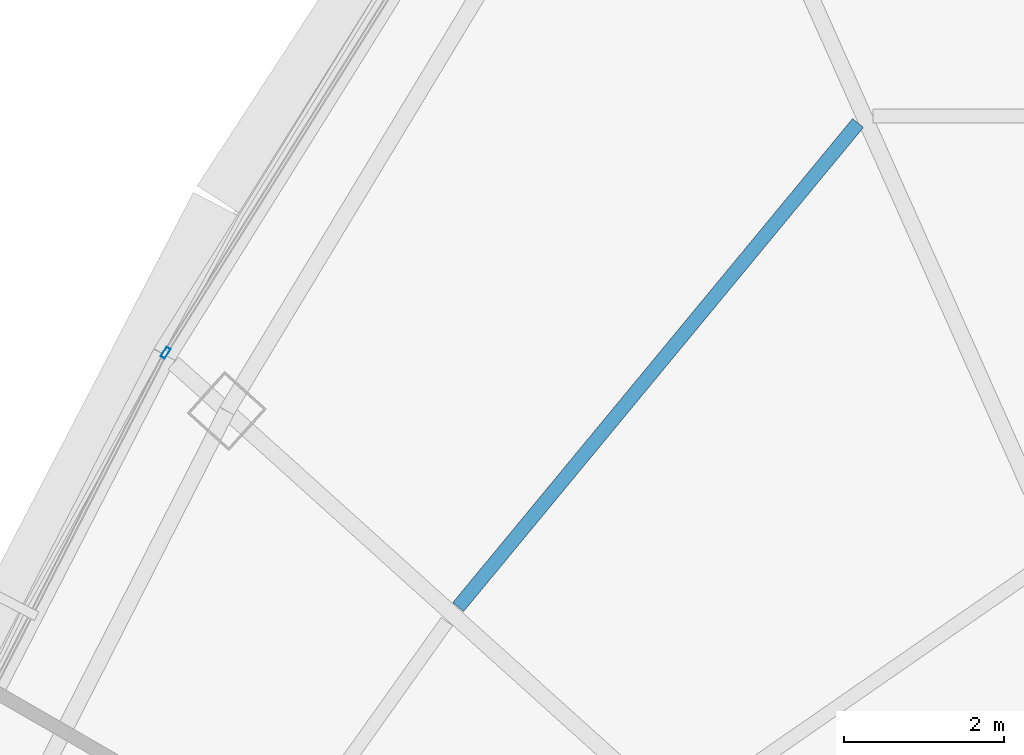
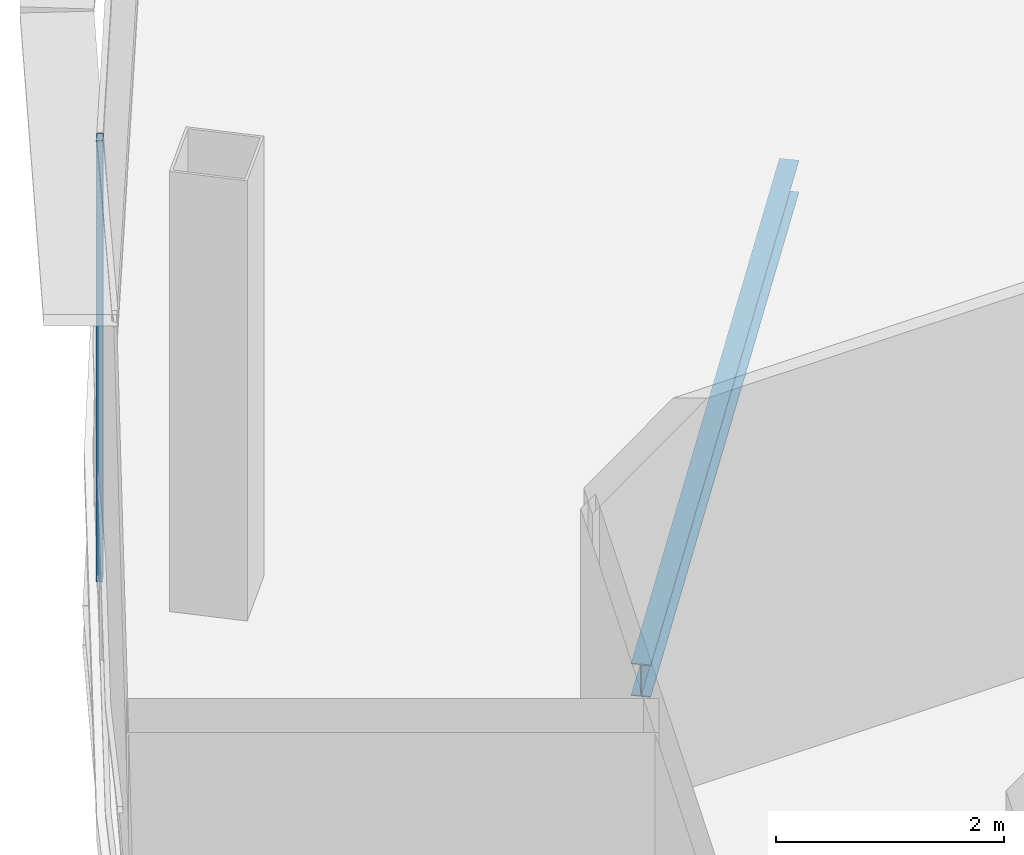
# One storey, part 8 of 29: 1 beam, 1 member, 1 element without a shape of its own.
"""IFC4 building model written with IfcOpenShell, lengths in metres."""

from ifc_helpers import new_model, si_unit, direction, frame, origin, origin_2d, place, context, subcontext, project, spatial, hollow_rectangle, i_section, extrude, source, transform, mapped, material, layer, layer_set, material_profile, profile_set, type_object, element, aggregate, save


model = new_model("IFC4")

# Units and contexts
model_context = context("Model", 3, precision=1e-05, world=origin(), true_north=direction((0.0, 1.0)))
body_context = subcontext(model_context, "Body", "Model", "MODEL_VIEW")
ifc_project = project(units=[si_unit("LENGTHUNIT", "METRE"), si_unit("AREAUNIT", "SQUARE_METRE"), si_unit("VOLUMEUNIT", "CUBIC_METRE"), si_unit("PLANEANGLEUNIT", "RADIAN"), si_unit("MASSUNIT", "GRAM", prefix="KILO"), si_unit("THERMODYNAMICTEMPERATUREUNIT", "KELVIN"), si_unit("POWERUNIT", "WATT")], contexts=[model_context])

# Site, building, storey
site_placement = place(None, origin())
site = spatial("IfcSite", under=ifc_project, at=site_placement, CompositionType="ELEMENT")
building_placement = place(site_placement, origin())
building = spatial("IfcBuilding", under=site, at=building_placement, Name="Yunzhuo Pagoda Commons", CompositionType="ELEMENT")
storey_placement = place(building_placement, frame((0.0, 0.0, 366.760009765625)))
storey = spatial("IfcBuildingStorey", under=building, at=storey_placement, Name="L92", CompositionType="ELEMENT", Elevation=366.760009765625)

# Beam
ifc_material_1 = material(Name="Structural steel Q355B", Category="steel")
ifc_material_profile_1 = material_profile(ifc_material_1, i_section(OverallWidth=0.175048828125, OverallDepth=0.35009765625, WebThickness=0.007080078125, FlangeThickness=0.010986328125, at=origin_2d()), Name="Structural steel Q355B")
ifc_profile_set_1 = profile_set([ifc_material_profile_1], Name="Structural steel Q355B")
beam_type = type_object("IfcBeamType", Name="B-JS2 Joist HN 350x175x7x11", PredefinedType="JOIST", material=ifc_profile_set_1)
shared_shape_1 = source(origin(), body_context, "Body", "SweptSolid", [
    extrude(i_section(OverallWidth=0.175048828125, OverallDepth=0.35009765625, WebThickness=0.007080078125, FlangeThickness=0.010986328125, at=origin_2d()), origin(), (0.0, 0.0, 1.0), 7.842529296875),
])
beam_placement = place(storey_placement, frame((39.861328125, 51.726318359375, -0.455078125), z_axis=(-0.636899145749, -0.770947130577, 0.0), x_axis=(0.770947130577, -0.636899145749, 0.0)))
element("IfcBeam", 1, at=beam_placement, inside=storey, type_object=beam_type, Name="L92 composite ring joist 2.9", PredefinedType="JOIST", context=body_context, shape_type="MappedRepresentation", body=[
    mapped(shared_shape_1, transform((0.0, 0.0, 0.0), scale=1.0)),
])

# Curtain wall, member
ifc_material_2 = material(Name="Anodized aluminium 6063-T6", Category="aluminium")
ifc_layer = layer(ifc_material_2, 0.139892578125)
ifc_layer_set = layer_set([ifc_layer], Name="Anodized aluminium 6063-T6")
curtain_wall_type = type_object("IfcCurtainWallType", Name="CW-HI High-Zone Ribbon Curtain Wall", PredefinedType="NOTDEFINED", material=ifc_layer_set)
curtain_wall_placement = place(storey_placement, origin())
curtain_wall = element("IfcCurtainWall", 2, at=curtain_wall_placement, inside=storey, type_object=curtain_wall_type, Name="L92 curtain wall CW-L92-F3B2", PredefinedType="NOTDEFINED")
ifc_material_profile_2 = material_profile(ifc_material_2, hollow_rectangle(XDim=0.06005859375, YDim=0.139892578125, WallThickness=0.00341796875, at=origin_2d()), Name="Anodized aluminium 6063-T6")
ifc_profile_set_2 = profile_set([ifc_material_profile_2], Name="Anodized aluminium 6063-T6")
member_type = type_object("IfcMemberType", Name="CW-HI-M Mullion RHS 140x60x3.5", PredefinedType="MULLION", material=ifc_profile_set_2)
shared_shape_2 = source(origin(), body_context, "Body", "SweptSolid", [
    extrude(hollow_rectangle(XDim=0.06005859375, YDim=0.139892578125, WallThickness=0.00341796875, at=origin_2d()), origin(), (0.0, 0.0, 1.0), 4.72021484375),
])
member_placement = place(storey_placement, frame((31.211181640625, 48.85693359375, 0.0), z_axis=(0.0, 0.0, 1.0), x_axis=(0.848055012826, -0.529908195087, 0.0)))
member = element("IfcMember", 3, at=member_placement, type_object=member_type, Name="CW mullion 2", PredefinedType="MULLION", context=body_context, shape_type="MappedRepresentation", body=[
    mapped(shared_shape_2, transform((0.0, 0.0, 0.0), scale=1.0)),
])
aggregate(curtain_wall, [member])

save(model, "model.ifc")
